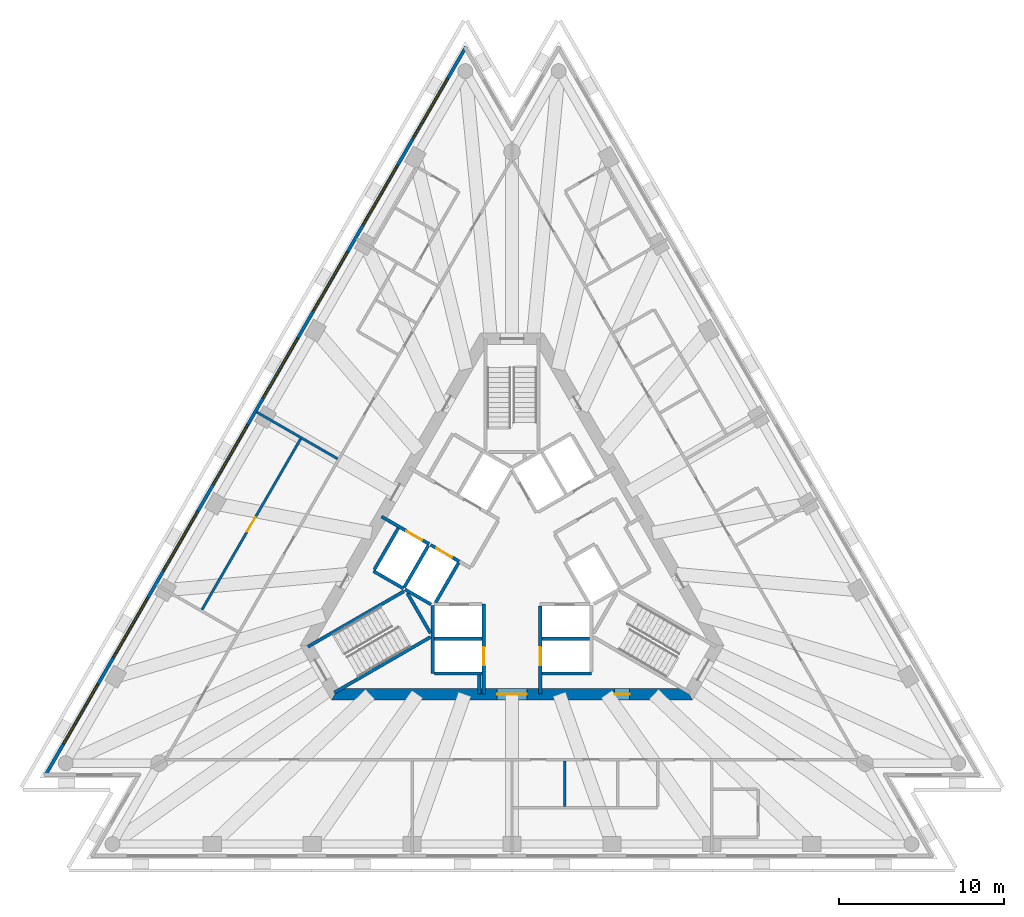
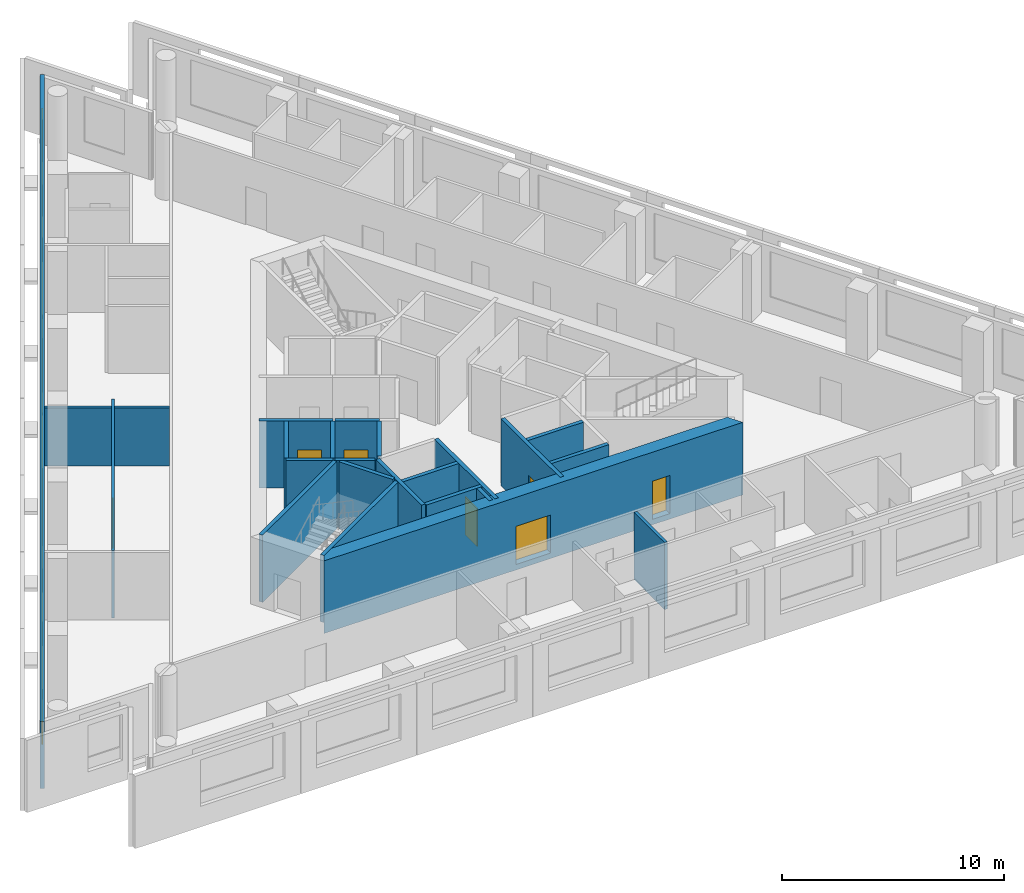
# One storey, part 3 of 9: 23 walls, 8 windows, 7 doors, 15 openings.
"""IFC4 building model written with IfcOpenShell, lengths in metres."""

from ifc_helpers import new_model, si_unit, direction, frame, frame_2d, origin, place, context, subcontext, project, spatial, polyline, rectangle, outline, extrude, material, layer, layer_set, layer_usage, type_object, element, fill, save


model = new_model("IFC4")

# Units and contexts
model_context = context("Model", 3, precision=1e-05, world=origin(), true_north=direction((0.0, 1.0)))
body_context = subcontext(model_context, "Body", "Model", "MODEL_VIEW")
ifc_project = project(units=[si_unit("LENGTHUNIT", "METRE"), si_unit("AREAUNIT", "SQUARE_METRE"), si_unit("VOLUMEUNIT", "CUBIC_METRE"), si_unit("PLANEANGLEUNIT", "RADIAN"), si_unit("MASSUNIT", "GRAM", prefix="KILO")], contexts=[model_context])

# Site, building, storey
site_placement = place(None, origin())
site = spatial("IfcSite", under=ifc_project, at=site_placement, CompositionType="ELEMENT")
building_placement = place(site_placement, origin())
building = spatial("IfcBuilding", under=site, at=building_placement, Name="Triada Interchange Tower", CompositionType="ELEMENT")
storey_placement = place(building_placement, frame((0.0, 0.0, 215.300048828125)))
storey = spatial("IfcBuildingStorey", under=building, at=storey_placement, Name="L50", CompositionType="ELEMENT", Elevation=215.300048828125)

# Walls
ifc_material_1 = material(Name="Concrete C30/37", Category="concrete")
ifc_layer_1 = layer(ifc_material_1, 0.199951171875)
ifc_layer_set_1 = layer_set([ifc_layer_1], Name="CORE WALL 200 EI 120")
wall_type_1 = type_object("IfcWallType", Name="CORE WALL 200 EI 120", PredefinedType="SOLIDWALL", material=ifc_layer_set_1)
wall_1_placement = place(storey_placement, frame((-8.3759765625, -0.70703125, 0.0), z_axis=(0.0, 0.0, 1.0), x_axis=(0.866067520717, -0.499927044236, 0.0)))
element("IfcWall", 1, at=wall_1_placement, inside=storey, type_object=wall_type_1, Name="Wall L50 41", PredefinedType="SOLIDWALL", context=body_context, shape_type="SweptSolid", body=[
    extrude(rectangle(XDim=2.100341796875, YDim=0.199951171875, at=frame_2d((1.05029296875, 0.0))), origin(), (0.0, 0.0, 1.0), 3.699951171875),
])
wall_2_placement = place(storey_placement, frame((-8.325927734375, -0.6201171875, 0.0), z_axis=(0.0, 0.0, 1.0), x_axis=(0.500023687443, 0.866011727401, 0.0)))
element("IfcWall", 2, at=wall_2_placement, inside=storey, type_object=wall_type_1, Name="Wall L50 42", PredefinedType="SOLIDWALL", context=body_context, shape_type="SweptSolid", body=[
    extrude(rectangle(XDim=2.899658203125, YDim=0.199951171875, at=frame_2d((1.44970703125, 0.0))), origin(), (0.0, 0.0, 1.0), 3.699951171875),
])
for number, where, z_axis, x_axis, name in (
    (3, (-4.699951171875, -4.800048828125, 0.0), (0.0, 0.0, 1.0), (1.0, 0.0, 0.0), "Wall L50 43"),
    (4, (1.800048828125, -4.800048828125, 0.0), (0.0, 0.0, 1.0), (1.0, 0.0, 0.0), "Wall L50 44"),
):
    element("IfcWall", number, at=place(storey_placement, frame(where, z_axis=z_axis, x_axis=x_axis)), inside=storey, type_object=wall_type_1, Name=name, PredefinedType="SOLIDWALL", context=body_context, shape_type="SweptSolid", body=[
        extrude(rectangle(XDim=2.89990234375, YDim=0.199951171875, at=frame_2d((1.449951171875, 0.0))), origin(), (0.0, 0.0, 1.0), 3.699951171875),
    ])
wall_3_placement = place(storey_placement, frame((-4.800048828125, -6.89990234375, 0.0), z_axis=(0.0, 0.0, 1.0), x_axis=(0.0, 1.0, 0.0)))
element("IfcWall", 5, at=wall_3_placement, inside=storey, type_object=wall_type_1, Name="Wall L50 45", PredefinedType="SOLIDWALL", context=body_context, shape_type="SweptSolid", body=[
    extrude(rectangle(XDim=4.130859375, YDim=0.199951171875, at=frame_2d((2.0654296875, 0.0))), origin(), (0.0, 0.0, 1.0), 3.699951171875),
])
wall_4_placement = place(storey_placement, frame((-4.699951171875, -6.89990234375, 0.0), z_axis=(0.0, 0.0, 1.0), x_axis=(1.0, 0.0, 0.0)))
element("IfcWall", 6, at=wall_4_placement, inside=storey, type_object=wall_type_1, Name="Wall L50 46", PredefinedType="SOLIDWALL", context=body_context, shape_type="SweptSolid", body=[
    extrude(rectangle(XDim=2.89990234375, YDim=0.199951171875, at=frame_2d((1.449951171875, 0.0))), origin(), (0.0, 0.0, 1.0), 3.699951171875),
])
wall_5_placement = place(storey_placement, frame((1.800048828125, -6.89990234375, 0.0), z_axis=(0.0, 0.0, 1.0), x_axis=(1.0, 0.0, 0.0)))
element("IfcWall", 7, at=wall_5_placement, inside=storey, type_object=wall_type_1, Name="Wall L50 47", PredefinedType="SOLIDWALL", context=body_context, shape_type="SweptSolid", body=[
    extrude(rectangle(XDim=3.0, YDim=0.199951171875, at=frame_2d((1.5, 0.0))), origin(), (0.0, 0.0, 1.0), 3.699951171875),
])

# Wall, opening, door
wall_6_placement = place(storey_placement, frame((-1.699951171875, -8.1298828125, 0.0), z_axis=(0.0, 0.0, 1.0), x_axis=(0.0, 1.0, 0.0)))
wall_6 = element("IfcWall", 8, at=wall_6_placement, inside=storey, type_object=wall_type_1, Name="Wall L50 48", PredefinedType="SOLIDWALL", context=body_context, shape_type="SweptSolid", body=[
    extrude(rectangle(XDim=5.427001953125, YDim=0.199951171875, at=frame_2d((2.71337890625, 0.0))), origin(), (0.0, 0.0, 1.0), 3.699951171875),
])
opening_1_placement = place(wall_6_placement, frame((1.72998046875, 0.0, 0.0)))
opening_1 = element("IfcOpeningElement", 9, at=opening_1_placement, cuts=wall_6, Name="Opening LD-HR4", PredefinedType="OPENING", context=body_context, shape_type="SweptSolid", body=[
    extrude(rectangle(XDim=1.10009765625, YDim=2.10009765625, at=frame_2d((0.550048828125, 1.050048828125))), frame((0.0, 0.10986328125, 0.0), z_axis=(0.0, -1.0, 0.0), x_axis=(1.0, 0.0, 0.0)), (0.0, 0.0, 1.0), 0.219970703125),
])
ifc_material_2 = material(Name="Steel S235 door leaf", Category="steel")
door_type_1 = type_object("IfcDoorType", Name="LIFT LANDING DOOR 1100 EI 120", OperationType="SLIDING_TO_LEFT", PredefinedType="DOOR", material=ifc_material_2)
door_1_placement = place(opening_1_placement, origin())
door_1 = element("IfcDoor", 10, at=door_1_placement, inside=storey, type_object=door_type_1, Name="HR4 landing door L50", OperationType="SLIDING_TO_LEFT", OverallHeight=2.10009765625, OverallWidth=1.10009765625, PredefinedType="DOOR", context=body_context, shape_type="SweptSolid", body=[
    extrude(rectangle(XDim=1.10009765625, YDim=2.10009765625, at=frame_2d((0.550048828125, 1.050048828125))), frame((0.0, 0.02490234375, 0.0), z_axis=(0.0, -1.0, 0.0), x_axis=(1.0, 0.0, 0.0)), (0.0, 0.0, 1.0), 0.050048828125),
])
fill(opening_1, door_1)

wall_7_placement = place(storey_placement, frame((1.699951171875, -8.1298828125, 0.0), z_axis=(0.0, 0.0, 1.0), x_axis=(0.0, 1.0, 0.0)))
wall_7 = element("IfcWall", 11, at=wall_7_placement, inside=storey, type_object=wall_type_1, Name="Wall L50 55", PredefinedType="SOLIDWALL", context=body_context, shape_type="SweptSolid", body=[
    extrude(rectangle(XDim=5.326904296875, YDim=0.199951171875, at=frame_2d((2.66357421875, 0.0))), origin(), (0.0, 0.0, 1.0), 3.699951171875),
])
opening_2_placement = place(wall_7_placement, frame((1.72998046875, 0.0, 0.0)))
opening_2 = element("IfcOpeningElement", 12, at=opening_2_placement, cuts=wall_7, Name="Opening LD-HR2", PredefinedType="OPENING", context=body_context, shape_type="SweptSolid", body=[
    extrude(rectangle(XDim=1.10009765625, YDim=2.10009765625, at=frame_2d((0.550048828125, 1.050048828125))), frame((0.0, 0.10986328125, 0.0), z_axis=(0.0, -1.0, 0.0), x_axis=(1.0, 0.0, 0.0)), (0.0, 0.0, 1.0), 0.219970703125),
])
door_2_placement = place(opening_2_placement, origin())
door_2 = element("IfcDoor", 13, at=door_2_placement, inside=storey, type_object=door_type_1, Name="HR2 landing door L50", OperationType="SLIDING_TO_LEFT", OverallHeight=2.10009765625, OverallWidth=1.10009765625, PredefinedType="DOOR", context=body_context, shape_type="SweptSolid", body=[
    extrude(rectangle(XDim=1.10009765625, YDim=2.10009765625, at=frame_2d((0.550048828125, 1.050048828125))), frame((0.0, 0.02490234375, 0.0), z_axis=(0.0, -1.0, 0.0), x_axis=(1.0, 0.0, 0.0)), (0.0, 0.0, 1.0), 0.050048828125),
])
fill(opening_2, door_2)

ifc_layer_2 = layer(ifc_material_1, 0.199951171875)
ifc_layer_set_2 = layer_set([ifc_layer_2], Name="CORE WALL 200 EI 180")
wall_type_2 = type_object("IfcWallType", Name="CORE WALL 200 EI 180", PredefinedType="SOLIDWALL", material=ifc_layer_set_2)
wall_8_placement = place(storey_placement, frame((-7.89111328125, 2.593017578125, 0.0), z_axis=(0.0, 0.0, 1.0), x_axis=(0.866070917804, -0.499921159118, 0.0)))
wall_8 = element("IfcWall", 14, at=wall_8_placement, inside=storey, type_object=wall_type_2, Name="Wall L50 66", PredefinedType="SOLIDWALL", context=body_context, shape_type="SweptSolid", body=[
    extrude(rectangle(XDim=3.33251953125, YDim=0.199951171875, at=frame_2d((1.666259765625, 0.0))), origin(), (0.0, 0.0, 1.0), 3.699951171875),
])
opening_3_placement = place(wall_8_placement, frame((1.72998046875, 0.0, 0.0)))
opening_3 = element("IfcOpeningElement", 15, at=opening_3_placement, cuts=wall_8, Name="Opening LD-SV1", PredefinedType="OPENING", context=body_context, shape_type="SweptSolid", body=[
    extrude(rectangle(XDim=1.10009765625, YDim=2.10009765625, at=frame_2d((0.550048828125, 1.050048828125))), frame((0.0, 0.10986328125, 0.0), z_axis=(0.0, -1.0, 0.0), x_axis=(1.0, 0.0, 0.0)), (0.0, 0.0, 1.0), 0.219970703125),
])
door_3_placement = place(opening_3_placement, origin())
door_3 = element("IfcDoor", 16, at=door_3_placement, inside=storey, type_object=door_type_1, Name="SV1 landing door L50", OperationType="SLIDING_TO_LEFT", OverallHeight=2.10009765625, OverallWidth=1.10009765625, PredefinedType="DOOR", context=body_context, shape_type="SweptSolid", body=[
    extrude(rectangle(XDim=1.10009765625, YDim=2.10009765625, at=frame_2d((0.550048828125, 1.050048828125))), frame((0.0, 0.02490234375, 0.0), z_axis=(0.0, -1.0, 0.0), x_axis=(1.0, 0.0, 0.0)), (0.0, 0.0, 1.0), 0.050048828125),
])
fill(opening_3, door_3)

# Walls
wall_9_placement = place(storey_placement, frame((-6.507080078125, -1.669921875, 0.0), z_axis=(0.0, 0.0, 1.0), x_axis=(0.50012328804, 0.865954211699, 0.0)))
element("IfcWall", 17, at=wall_9_placement, inside=storey, type_object=wall_type_2, Name="Shaft wall FF1 L50 73", PredefinedType="SOLIDWALL", context=body_context, shape_type="SweptSolid", body=[
    extrude(rectangle(XDim=2.899658203125, YDim=0.199951171875, at=frame_2d((1.44970703125, 0.0))), origin(), (0.0, 0.0, 1.0), 3.699951171875),
])
wall_10_placement = place(storey_placement, frame((-6.469970703125, -1.806884765625, 0.0), z_axis=(0.0, 0.0, 1.0), x_axis=(0.865883195159, -0.500246231712, 0.0)))
element("IfcWall", 18, at=wall_10_placement, inside=storey, type_object=wall_type_2, Name="Shaft wall FF1 L50 74", PredefinedType="SOLIDWALL", context=body_context, shape_type="SweptSolid", body=[
    extrude(rectangle(XDim=1.8154296875, YDim=0.199951171875, at=frame_2d((0.90771484375, 0.0))), origin(), (0.0, 0.0, 1.0), 3.699951171875),
])

# Wall, opening, door
wall_11_placement = place(storey_placement, frame((-4.922119140625, 0.87890625, 0.0), z_axis=(0.0, 0.0, 1.0), x_axis=(0.866073918653, -0.499915960366, 0.0)))
wall_11 = element("IfcWall", 19, at=wall_11_placement, inside=storey, type_object=wall_type_2, Name="Shaft wall FF1 L50 75", PredefinedType="SOLIDWALL", context=body_context, shape_type="SweptSolid", body=[
    extrude(rectangle(XDim=2.002197265625, YDim=0.199951171875, at=frame_2d((1.0009765625, 0.0))), origin(), (0.0, 0.0, 1.0), 3.699951171875),
])
opening_4_placement = place(wall_11_placement, frame((0.402099609375, 0.0, 0.0)))
opening_4 = element("IfcOpeningElement", 20, at=opening_4_placement, cuts=wall_11, Name="Opening LD-FF1", PredefinedType="OPENING", context=body_context, shape_type="SweptSolid", body=[
    extrude(rectangle(XDim=1.10009765625, YDim=2.10009765625, at=frame_2d((0.550048828125, 1.050048828125))), frame((0.0, 0.10986328125, 0.0), z_axis=(0.0, -1.0, 0.0), x_axis=(1.0, 0.0, 0.0)), (0.0, 0.0, 1.0), 0.219970703125),
])
door_4_placement = place(opening_4_placement, origin())
door_4 = element("IfcDoor", 21, at=door_4_placement, inside=storey, type_object=door_type_1, Name="FF1 landing door L50", OperationType="SLIDING_TO_LEFT", OverallHeight=2.10009765625, OverallWidth=1.10009765625, PredefinedType="DOOR", context=body_context, shape_type="SweptSolid", body=[
    extrude(rectangle(XDim=1.10009765625, YDim=2.10009765625, at=frame_2d((0.550048828125, 1.050048828125))), frame((0.0, 0.02490234375, 0.0), z_axis=(0.0, -1.0, 0.0), x_axis=(1.0, 0.0, 0.0)), (0.0, 0.0, 1.0), 0.050048828125),
])
fill(opening_4, door_4)

# Walls
wall_12_placement = place(storey_placement, frame((-4.618896484375, -2.60009765625, 0.0), z_axis=(0.0, 0.0, 1.0), x_axis=(0.50009492287, 0.865970593103, 0.0)))
element("IfcWall", 22, at=wall_12_placement, inside=storey, type_object=wall_type_2, Name="Shaft wall FF1 L50 76", PredefinedType="SOLIDWALL", context=body_context, shape_type="SweptSolid", body=[
    extrude(rectangle(XDim=2.76123046875, YDim=0.199951171875, at=frame_2d((1.380615234375, 0.0))), origin(), (0.0, 0.0, 1.0), 3.699951171875),
])
ifc_layer_3 = layer(ifc_material_1, 0.199951171875)
ifc_layer_set_3 = layer_set([ifc_layer_3], Name="CORE WALL 200 EI 90")
wall_type_3 = type_object("IfcWallType", Name="CORE WALL 200 EI 90", PredefinedType="SOLIDWALL", material=ifc_layer_set_3)
wall_13_placement = place(storey_placement, frame((-1.986083984375, -8.1298828125, 0.0), z_axis=(0.0, 0.0, 1.0), x_axis=(0.0, 1.0, 0.0)))
element("IfcWall", 23, at=wall_13_placement, inside=storey, type_object=wall_type_3, Name="Wall L50 81", PredefinedType="SOLIDWALL", context=body_context, shape_type="SweptSolid", body=[
    extrude(rectangle(XDim=1.1298828125, YDim=0.199951171875, at=frame_2d((0.56494140625, 0.0))), origin(), (0.0, 0.0, 1.0), 3.699951171875),
])
ifc_layer_4 = layer(ifc_material_1, 0.199951171875)
ifc_layer_set_4 = layer_set([ifc_layer_4], Name="CORE WALL 200 REI 240")
wall_type_4 = type_object("IfcWallType", Name="CORE WALL 200 REI 240", PredefinedType="SOLIDWALL", material=ifc_layer_set_4)
wall_14_placement = place(storey_placement, frame((-12.343994140625, -5.279052734375, 0.0), z_axis=(0.0, 0.0, 1.0), x_axis=(0.866046323291, 0.499963764601, 0.0)))
element("IfcWall", 24, at=wall_14_placement, inside=storey, type_object=wall_type_4, Name="Wall L50 86", PredefinedType="SOLIDWALL", context=body_context, shape_type="SweptSolid", body=[
    extrude(rectangle(XDim=6.71435546875, YDim=0.199951171875, at=frame_2d((3.357177734375, 0.0))), origin(), (0.0, 0.0, 1.0), 3.699951171875),
])
wall_15_placement = place(storey_placement, frame((-6.3291015625, -2.0380859375, 0.0), z_axis=(0.0, 0.0, 1.0), x_axis=(0.500200581029, -0.865909567298, 0.0)))
element("IfcWall", 25, at=wall_15_placement, inside=storey, type_object=wall_type_4, Name="Wall L50 87", PredefinedType="SOLIDWALL", context=body_context, shape_type="SweptSolid", body=[
    extrude(rectangle(XDim=2.799072265625, YDim=0.199951171875, at=frame_2d((1.3994140625, 0.0))), origin(), (0.0, 0.0, 1.0), 3.699951171875),
])
wall_16_placement = place(storey_placement, frame((-10.743896484375, -8.051025390625, 0.0), z_axis=(0.0, 0.0, 1.0), x_axis=(0.865983344943, 0.500072840975, 0.0)))
element("IfcWall", 26, at=wall_16_placement, inside=storey, type_object=wall_type_4, Name="Wall L50 88", PredefinedType="SOLIDWALL", context=body_context, shape_type="SweptSolid", body=[
    extrude(rectangle(XDim=6.71484375, YDim=0.199951171875, at=frame_2d((3.357421875, 0.0))), origin(), (0.0, 0.0, 1.0), 3.699951171875),
])

# Wall, openings, doors
ifc_material_3 = material(Name="Concrete C50/60", Category="concrete")
ifc_layer_5 = layer(ifc_material_3, 0.699951171875)
ifc_layer_set_5 = layer_set([ifc_layer_5], Name="Core wall C 700")
wall_type_5 = type_object("IfcWallType", Name="Core wall C 700", PredefinedType="SHEAR", material=ifc_layer_set_5)
wall_17_placement = place(storey_placement, frame((-10.7099609375, -8.14990234375, -0.300048828125), z_axis=(0.0, 0.0, 1.0), x_axis=(1.0, 0.0, 0.0)))
wall_17 = element("IfcWall", 27, at=wall_17_placement, inside=storey, type_object=wall_type_5, Name="Core wall WC04 L50", PredefinedType="SHEAR", context=body_context, shape_type="SweptSolid", body=[
    extrude(outline(polyline([(-0.201904296875, -0.35009765625), (1.781982421875, -0.35009765625), (3.76611328125, -0.35009765625), (5.75, -0.35009765625), (7.734130859375, -0.35009765625), (9.718017578125, -0.35009765625), (11.7021484375, -0.35009765625), (13.68603515625, -0.35009765625), (15.670166015625, -0.35009765625), (17.654052734375, -0.35009765625), (19.63818359375, -0.35009765625), (21.6220703125, -0.35009765625), (21.218017578125, 0.35009765625), (19.307373046875, 0.35009765625), (17.39697265625, 0.35009765625), (15.486328125, 0.35009765625), (13.57568359375, 0.35009765625), (11.665283203125, 0.35009765625), (9.754638671875, 0.35009765625), (7.84423828125, 0.35009765625), (5.93359375, 0.35009765625), (4.02294921875, 0.35009765625), (2.112548828125, 0.35009765625), (0.201904296875, 0.35009765625), (-0.201904296875, -0.35009765625)])), origin(), (0.0, 0.0, 1.0), 4.0),
])
opening_5_placement = place(wall_17_placement, frame((9.81005859375, 0.0, 0.300048828125)))
opening_5 = element("IfcOpeningElement", 28, at=opening_5_placement, cuts=wall_17, Name="Opening D50-38", PredefinedType="OPENING", context=body_context, shape_type="SweptSolid", body=[
    extrude(rectangle(XDim=1.800048828125, YDim=2.10009765625, at=frame_2d((0.89990234375, 1.050048828125))), frame((0.0, 0.360107421875, 0.0), z_axis=(0.0, -1.0, 0.0), x_axis=(1.0, 0.0, 0.0)), (0.0, 0.0, 1.0), 0.72021484375),
])
opening_6_placement = place(wall_17_placement, frame((16.9208984375, 0.0, 0.300048828125)))
opening_6 = element("IfcOpeningElement", 29, at=opening_6_placement, cuts=wall_17, Name="Opening D50-44", PredefinedType="OPENING", context=body_context, shape_type="SweptSolid", body=[
    extrude(rectangle(XDim=0.89990234375, YDim=2.10009765625, at=frame_2d((0.449951171875, 1.050048828125))), frame((0.0, 0.360107421875, 0.0), z_axis=(0.0, -1.0, 0.0), x_axis=(1.0, 0.0, 0.0)), (0.0, 0.0, 1.0), 0.72021484375),
])
door_type_2 = type_object("IfcDoorType", Name="LOBBY DOOR 1800 EI2 90-C5S200", OperationType="DOUBLE_DOOR_SINGLE_SWING", PredefinedType="DOOR", material=ifc_material_2)
door_5_placement = place(opening_5_placement, origin())
door_5 = element("IfcDoor", 30, at=door_5_placement, inside=storey, type_object=door_type_2, Name="Door D50-38 L50", OperationType="DOUBLE_DOOR_SINGLE_SWING", OverallHeight=2.10009765625, OverallWidth=1.800048828125, PredefinedType="DOOR", context=body_context, shape_type="SweptSolid", body=[
    extrude(rectangle(XDim=1.800048828125, YDim=2.10009765625, at=frame_2d((0.89990234375, 1.050048828125))), frame((0.0, 0.02490234375, 0.0), z_axis=(0.0, -1.0, 0.0), x_axis=(1.0, 0.0, 0.0)), (0.0, 0.0, 1.0), 0.050048828125),
])
fill(opening_5, door_5)
door_type_3 = type_object("IfcDoorType", Name="SERVICE DOOR 900 EI2 45-C5S200", OperationType="NOTDEFINED", PredefinedType="DOOR", material=ifc_material_2)
door_6_placement = place(opening_6_placement, origin())
door_6 = element("IfcDoor", 31, at=door_6_placement, inside=storey, type_object=door_type_3, Name="Door D50-44 L50", OperationType="SINGLE_SWING_RIGHT", OverallHeight=2.10009765625, OverallWidth=0.89990234375, PredefinedType="DOOR", context=body_context, shape_type="SweptSolid", body=[
    extrude(rectangle(XDim=0.89990234375, YDim=2.10009765625, at=frame_2d((0.449951171875, 1.050048828125))), frame((0.0, 0.02490234375, 0.0), z_axis=(0.0, -1.0, 0.0), x_axis=(1.0, 0.0, 0.0)), (0.0, 0.0, 1.0), 0.050048828125),
])
fill(opening_6, door_6)

# Wall, openings, windows
ifc_material_4 = material(Name="Cement board")
ifc_layer_6 = layer(ifc_material_4, 0.02001953125, Name="Cement board cladding")
ifc_material_5 = material(Name="Sheathing board")
ifc_layer_7 = layer(ifc_material_5, 0.014892578125, Name="Sheathing board")
ifc_material_6 = material(Name="Mineral wool")
ifc_layer_8 = layer(ifc_material_6, 0.14990234375, Name="Mineral wool between steel studs")
ifc_material_7 = material(Name="Gypsum board")
ifc_layer_9 = layer(ifc_material_7, 0.014892578125, Name="Plasterboard lining")
ifc_layer_set_6 = layer_set([ifc_layer_6, ifc_layer_7, ifc_layer_8, ifc_layer_9], Name="External wall 200")
ifc_layer_usage = layer_usage(ifc_layer_set_6, "AXIS2", "POSITIVE", -0.10009765625)
wall_type_6 = type_object("IfcWallType", Name="External wall 200", PredefinedType="ELEMENTEDWALL", material=ifc_layer_set_6)
wall_18_placement = place(storey_placement, frame((-2.778076171875, 31.008056640625, 0.0), z_axis=(0.0, 0.0, 1.0), x_axis=(-0.499999612413, -0.866025627558, 0.0)))
wall_18 = element("IfcWall", 32, at=wall_18_placement, inside=storey, type_object=wall_type_6, material=ifc_layer_usage, Name="External wall L50 NW", PredefinedType="ELEMENTEDWALL", context=body_context, shape_type="SweptSolid", body=[
    extrude(rectangle(XDim=50.90966796875, YDim=0.199951171875, at=frame_2d((25.454833984375, 0.0))), origin(), (0.0, 0.0, 1.0), 3.699951171875),
])
opening_7_placement = place(wall_18_placement, frame((2.222900390625, 0.0, 0.89990234375)))
opening_7 = element("IfcOpeningElement", 33, at=opening_7_placement, cuts=wall_18, Name="Opening WC01", PredefinedType="OPENING", context=body_context, shape_type="SweptSolid", body=[
    extrude(rectangle(XDim=4.199951171875, YDim=2.5, at=frame_2d((2.10009765625, 1.25))), frame((0.0, 0.10986328125, 0.0), z_axis=(0.0, -1.0, 0.0), x_axis=(1.0, 0.0, 0.0)), (0.0, 0.0, 1.0), 0.219970703125),
])
opening_8_placement = place(wall_18_placement, frame((8.262939453125, 0.0, 0.89990234375)))
opening_8 = element("IfcOpeningElement", 34, at=opening_8_placement, cuts=wall_18, Name="Opening WC02", PredefinedType="OPENING", context=body_context, shape_type="SweptSolid", body=[
    extrude(rectangle(XDim=4.199951171875, YDim=2.5, at=frame_2d((2.10009765625, 1.25))), frame((0.0, 0.10986328125, 0.0), z_axis=(0.0, -1.0, 0.0), x_axis=(1.0, 0.0, 0.0)), (0.0, 0.0, 1.0), 0.219970703125),
])
opening_9_placement = place(wall_18_placement, frame((14.303955078125, 0.0, 0.89990234375)))
opening_9 = element("IfcOpeningElement", 35, at=opening_9_placement, cuts=wall_18, Name="Opening WC03", PredefinedType="OPENING", context=body_context, shape_type="SweptSolid", body=[
    extrude(rectangle(XDim=4.199951171875, YDim=2.5, at=frame_2d((2.10009765625, 1.25))), frame((0.0, 0.10986328125, 0.0), z_axis=(0.0, -1.0, 0.0), x_axis=(1.0, 0.0, 0.0)), (0.0, 0.0, 1.0), 0.219970703125),
])
opening_10_placement = place(wall_18_placement, frame((20.343994140625, 0.0, 0.89990234375)))
opening_10 = element("IfcOpeningElement", 36, at=opening_10_placement, cuts=wall_18, Name="Opening WC04", PredefinedType="OPENING", context=body_context, shape_type="SweptSolid", body=[
    extrude(rectangle(XDim=4.199951171875, YDim=2.5, at=frame_2d((2.10009765625, 1.25))), frame((0.0, 0.10986328125, 0.0), z_axis=(0.0, -1.0, 0.0), x_axis=(1.0, 0.0, 0.0)), (0.0, 0.0, 1.0), 0.219970703125),
])
opening_11_placement = place(wall_18_placement, frame((26.385009765625, 0.0, 0.89990234375)))
opening_11 = element("IfcOpeningElement", 37, at=opening_11_placement, cuts=wall_18, Name="Opening WC05", PredefinedType="OPENING", context=body_context, shape_type="SweptSolid", body=[
    extrude(rectangle(XDim=4.199951171875, YDim=2.5, at=frame_2d((2.10009765625, 1.25))), frame((0.0, 0.10986328125, 0.0), z_axis=(0.0, -1.0, 0.0), x_axis=(1.0, 0.0, 0.0)), (0.0, 0.0, 1.0), 0.219970703125),
])
opening_12_placement = place(wall_18_placement, frame((32.425048828125, 0.0, 0.89990234375)))
opening_12 = element("IfcOpeningElement", 38, at=opening_12_placement, cuts=wall_18, Name="Opening WC06", PredefinedType="OPENING", context=body_context, shape_type="SweptSolid", body=[
    extrude(rectangle(XDim=4.199951171875, YDim=2.5, at=frame_2d((2.10009765625, 1.25))), frame((0.0, 0.10986328125, 0.0), z_axis=(0.0, -1.0, 0.0), x_axis=(1.0, 0.0, 0.0)), (0.0, 0.0, 1.0), 0.219970703125),
])
opening_13_placement = place(wall_18_placement, frame((38.466064453125, 0.0, 0.89990234375)))
opening_13 = element("IfcOpeningElement", 39, at=opening_13_placement, cuts=wall_18, Name="Opening WC07", PredefinedType="OPENING", context=body_context, shape_type="SweptSolid", body=[
    extrude(rectangle(XDim=4.199951171875, YDim=2.5, at=frame_2d((2.10009765625, 1.25))), frame((0.0, 0.10986328125, 0.0), z_axis=(0.0, -1.0, 0.0), x_axis=(1.0, 0.0, 0.0)), (0.0, 0.0, 1.0), 0.219970703125),
])
opening_14_placement = place(wall_18_placement, frame((44.506103515625, 0.0, 0.89990234375)))
opening_14 = element("IfcOpeningElement", 40, at=opening_14_placement, cuts=wall_18, Name="Opening WC08", PredefinedType="OPENING", context=body_context, shape_type="SweptSolid", body=[
    extrude(rectangle(XDim=4.199951171875, YDim=2.5, at=frame_2d((2.10009765625, 1.25))), frame((0.0, 0.10986328125, 0.0), z_axis=(0.0, -1.0, 0.0), x_axis=(1.0, 0.0, 0.0)), (0.0, 0.0, 1.0), 0.219970703125),
])
ifc_material_8 = material(Name="Double glazed aluminium window", Category="aluminium")
window_type = type_object("IfcWindowType", Name="Ribbon window C face", PartitioningType="SINGLE_PANEL", PredefinedType="WINDOW", material=ifc_material_8)
window_1_placement = place(opening_7_placement, origin())
window_1 = element("IfcWindow", 41, at=window_1_placement, inside=storey, type_object=window_type, Name="Window L50 NW 1", OverallHeight=2.5, OverallWidth=4.199951171875, PartitioningType="SINGLE_PANEL", PredefinedType="WINDOW", context=body_context, shape_type="SweptSolid", body=[
    extrude(rectangle(XDim=4.199951171875, YDim=2.5, at=frame_2d((2.10009765625, 1.25))), frame((0.0, 0.030029296875, 0.0), z_axis=(0.0, -1.0, 0.0), x_axis=(1.0, 0.0, 0.0)), (0.0, 0.0, 1.0), 0.06005859375),
])
fill(opening_7, window_1)
window_2_placement = place(opening_8_placement, origin())
window_2 = element("IfcWindow", 42, at=window_2_placement, inside=storey, type_object=window_type, Name="Window L50 NW 2", OverallHeight=2.5, OverallWidth=4.199951171875, PartitioningType="SINGLE_PANEL", PredefinedType="WINDOW", context=body_context, shape_type="SweptSolid", body=[
    extrude(rectangle(XDim=4.199951171875, YDim=2.5, at=frame_2d((2.10009765625, 1.25))), frame((0.0, 0.030029296875, 0.0), z_axis=(0.0, -1.0, 0.0), x_axis=(1.0, 0.0, 0.0)), (0.0, 0.0, 1.0), 0.06005859375),
])
fill(opening_8, window_2)
window_3_placement = place(opening_9_placement, origin())
window_3 = element("IfcWindow", 43, at=window_3_placement, inside=storey, type_object=window_type, Name="Window L50 NW 3", OverallHeight=2.5, OverallWidth=4.199951171875, PartitioningType="SINGLE_PANEL", PredefinedType="WINDOW", context=body_context, shape_type="SweptSolid", body=[
    extrude(rectangle(XDim=4.199951171875, YDim=2.5, at=frame_2d((2.10009765625, 1.25))), frame((0.0, 0.030029296875, 0.0), z_axis=(0.0, -1.0, 0.0), x_axis=(1.0, 0.0, 0.0)), (0.0, 0.0, 1.0), 0.06005859375),
])
fill(opening_9, window_3)
window_4_placement = place(opening_10_placement, origin())
window_4 = element("IfcWindow", 44, at=window_4_placement, inside=storey, type_object=window_type, Name="Window L50 NW 4", OverallHeight=2.5, OverallWidth=4.199951171875, PartitioningType="SINGLE_PANEL", PredefinedType="WINDOW", context=body_context, shape_type="SweptSolid", body=[
    extrude(rectangle(XDim=4.199951171875, YDim=2.5, at=frame_2d((2.10009765625, 1.25))), frame((0.0, 0.030029296875, 0.0), z_axis=(0.0, -1.0, 0.0), x_axis=(1.0, 0.0, 0.0)), (0.0, 0.0, 1.0), 0.06005859375),
])
fill(opening_10, window_4)
window_5_placement = place(opening_11_placement, origin())
window_5 = element("IfcWindow", 45, at=window_5_placement, inside=storey, type_object=window_type, Name="Window L50 NW 5", OverallHeight=2.5, OverallWidth=4.199951171875, PartitioningType="SINGLE_PANEL", PredefinedType="WINDOW", context=body_context, shape_type="SweptSolid", body=[
    extrude(rectangle(XDim=4.199951171875, YDim=2.5, at=frame_2d((2.10009765625, 1.25))), frame((0.0, 0.030029296875, 0.0), z_axis=(0.0, -1.0, 0.0), x_axis=(1.0, 0.0, 0.0)), (0.0, 0.0, 1.0), 0.06005859375),
])
fill(opening_11, window_5)
window_6_placement = place(opening_12_placement, origin())
window_6 = element("IfcWindow", 46, at=window_6_placement, inside=storey, type_object=window_type, Name="Window L50 NW 6", OverallHeight=2.5, OverallWidth=4.199951171875, PartitioningType="SINGLE_PANEL", PredefinedType="WINDOW", context=body_context, shape_type="SweptSolid", body=[
    extrude(rectangle(XDim=4.199951171875, YDim=2.5, at=frame_2d((2.10009765625, 1.25))), frame((0.0, 0.030029296875, 0.0), z_axis=(0.0, -1.0, 0.0), x_axis=(1.0, 0.0, 0.0)), (0.0, 0.0, 1.0), 0.06005859375),
])
fill(opening_12, window_6)
window_7_placement = place(opening_13_placement, origin())
window_7 = element("IfcWindow", 47, at=window_7_placement, inside=storey, type_object=window_type, Name="Window L50 NW 7", OverallHeight=2.5, OverallWidth=4.199951171875, PartitioningType="SINGLE_PANEL", PredefinedType="WINDOW", context=body_context, shape_type="SweptSolid", body=[
    extrude(rectangle(XDim=4.199951171875, YDim=2.5, at=frame_2d((2.10009765625, 1.25))), frame((0.0, 0.030029296875, 0.0), z_axis=(0.0, -1.0, 0.0), x_axis=(1.0, 0.0, 0.0)), (0.0, 0.0, 1.0), 0.06005859375),
])
fill(opening_13, window_7)
window_8_placement = place(opening_14_placement, origin())
window_8 = element("IfcWindow", 48, at=window_8_placement, inside=storey, type_object=window_type, Name="Window L50 NW 8", OverallHeight=2.5, OverallWidth=4.199951171875, PartitioningType="SINGLE_PANEL", PredefinedType="WINDOW", context=body_context, shape_type="SweptSolid", body=[
    extrude(rectangle(XDim=4.199951171875, YDim=2.5, at=frame_2d((2.10009765625, 1.25))), frame((0.0, 0.030029296875, 0.0), z_axis=(0.0, -1.0, 0.0), x_axis=(1.0, 0.0, 0.0)), (0.0, 0.0, 1.0), 0.06005859375),
])
fill(opening_14, window_8)

# Walls
ifc_material_9 = material(Name="Gypsum board partition")
ifc_layer_10 = layer(ifc_material_9, 0.14990234375)
ifc_layer_set_7 = layer_set([ifc_layer_10], Name="PARTITION 150 EI 180")
wall_type_7 = type_object("IfcWallType", Name="PARTITION 150 EI 180", PredefinedType="PARTITIONING", material=ifc_layer_set_7)
wall_19_placement = place(storey_placement, frame((-15.44091796875, 8.9150390625, 0.0), z_axis=(0.0, 0.0, 1.0), x_axis=(0.866034596441, -0.499984077514, 0.0)))
element("IfcWall", 49, at=wall_19_placement, inside=storey, type_object=wall_type_7, Name="Wall L50 6", PredefinedType="PARTITIONING", context=body_context, shape_type="SweptSolid", body=[
    extrude(rectangle(XDim=5.654541015625, YDim=0.14990234375, at=frame_2d((2.8271484375, 0.0))), origin(), (0.0, 0.0, 1.0), 3.199951171875),
])
wall_20_placement = place(storey_placement, frame((3.199951171875, -14.929931640625, 0.0), z_axis=(0.0, 0.0, 1.0), x_axis=(0.0, 1.0, 0.0)))
element("IfcWall", 50, at=wall_20_placement, inside=storey, type_object=wall_type_7, Name="Wall L50 17", PredefinedType="PARTITIONING", context=body_context, shape_type="SweptSolid", body=[
    extrude(rectangle(XDim=2.7548828125, YDim=0.14990234375, at=frame_2d((1.37744140625, 0.0))), origin(), (0.0, 0.0, 1.0), 3.699951171875),
])

# Wall, opening, door
ifc_layer_11 = layer(ifc_material_9, 0.14990234375)
ifc_layer_set_8 = layer_set([ifc_layer_11], Name="PARTITION 150 EI 90")
wall_type_8 = type_object("IfcWallType", Name="PARTITION 150 EI 90", PredefinedType="PARTITIONING", material=ifc_layer_set_8)
wall_21_placement = place(storey_placement, frame((-18.74609375, -3.0400390625, 0.0), z_axis=(0.0, 0.0, 1.0), x_axis=(0.499992887898, 0.866029509919, 0.0)))
wall_21 = element("IfcWall", 51, at=wall_21_placement, inside=storey, type_object=wall_type_8, Name="Wall L50 29", PredefinedType="PARTITIONING", context=body_context, shape_type="SweptSolid", body=[
    extrude(rectangle(XDim=11.930419921875, YDim=0.14990234375, at=frame_2d((5.96533203125, 0.0))), origin(), (0.0, 0.0, 1.0), 3.699951171875),
])
opening_15_placement = place(wall_21_placement, frame((5.4560546875, 0.0, 0.0)))
opening_15 = element("IfcOpeningElement", 52, at=opening_15_placement, cuts=wall_21, Name="Opening D50-36", PredefinedType="OPENING", context=body_context, shape_type="SweptSolid", body=[
    extrude(rectangle(XDim=1.0, YDim=2.10009765625, at=frame_2d((0.5, 1.050048828125))), frame((0.0, 0.0849609375, 0.0), z_axis=(0.0, -1.0, 0.0), x_axis=(1.0, 0.0, 0.0)), (0.0, 0.0, 1.0), 0.169921875),
])
door_type_4 = type_object("IfcDoorType", Name="ROOM DOOR 1000 EI2 45-C5S200", OperationType="NOTDEFINED", PredefinedType="DOOR", material=ifc_material_2)
door_7_placement = place(opening_15_placement, origin())
door_7 = element("IfcDoor", 53, at=door_7_placement, inside=storey, type_object=door_type_4, Name="Door D50-36 L50", OperationType="SINGLE_SWING_RIGHT", OverallHeight=2.10009765625, OverallWidth=1.0, PredefinedType="DOOR", context=body_context, shape_type="SweptSolid", body=[
    extrude(rectangle(XDim=1.0, YDim=2.10009765625, at=frame_2d((0.5, 1.050048828125))), frame((0.0, 0.02490234375, 0.0), z_axis=(0.0, -1.0, 0.0), x_axis=(1.0, 0.0, 0.0)), (0.0, 0.0, 1.0), 0.050048828125),
])
fill(opening_15, door_7)

save(model, "model.ifc")
